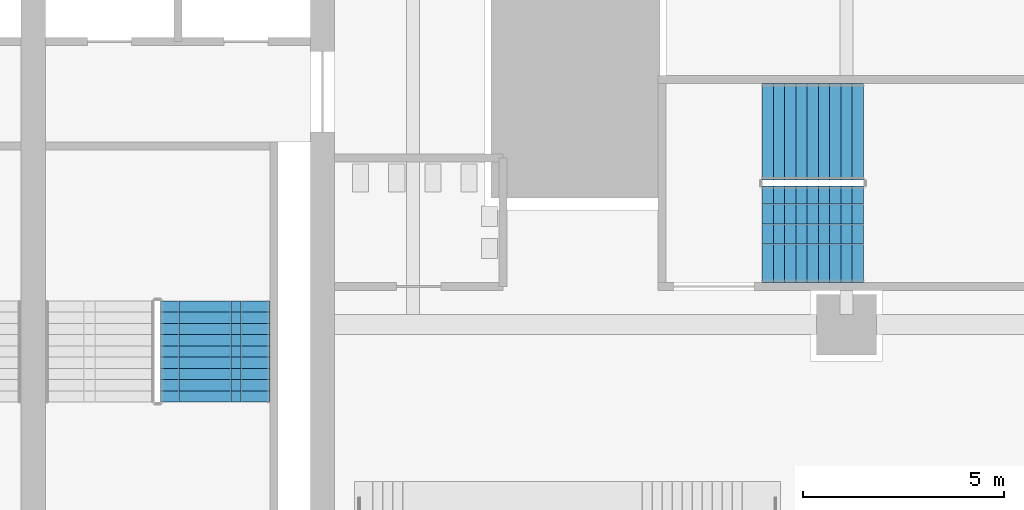
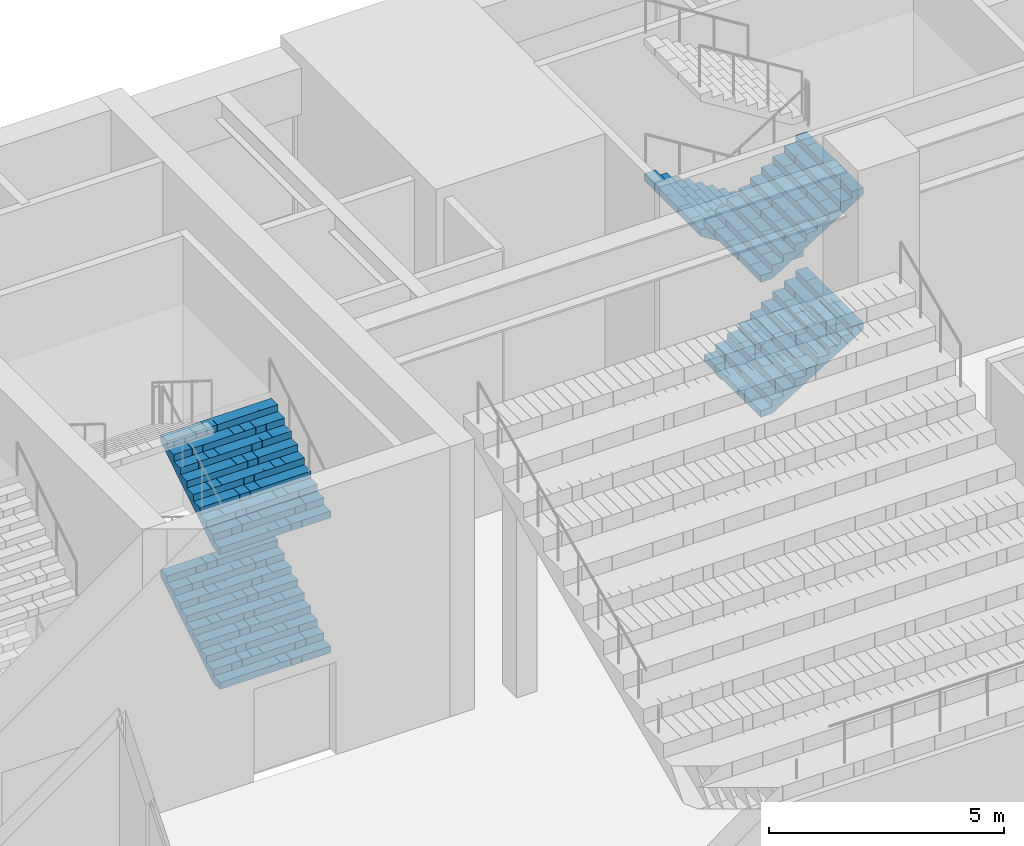
# One storey, part 49 of 62: 5 stair flights, 2 elements without a shape of their own.
"""IFC4 building model written with IfcOpenShell, lengths in metres."""

from ifc_helpers import new_model, si_unit, direction, frame, origin, place, context, subcontext, project, spatial, polyline, outline, extrude, material, type_object, element, aggregate, save


model = new_model("IFC4")

# Units and contexts
model_context = context("Model", 3, precision=1e-05, world=origin(), true_north=direction((0.0, 1.0)))
body_context = subcontext(model_context, "Body", "Model", "MODEL_VIEW")
ifc_project = project(units=[si_unit("LENGTHUNIT", "METRE"), si_unit("AREAUNIT", "SQUARE_METRE"), si_unit("VOLUMEUNIT", "CUBIC_METRE"), si_unit("PLANEANGLEUNIT", "RADIAN"), si_unit("MASSUNIT", "GRAM", prefix="KILO")], contexts=[model_context])

# Site, building, storey
site_placement = place(None, origin())
site = spatial("IfcSite", under=ifc_project, at=site_placement, CompositionType="ELEMENT")
building_placement = place(site_placement, origin())
building = spatial("IfcBuilding", under=site, at=building_placement, Name="Corbelhall Arena Tower", CompositionType="ELEMENT")
storey_placement = place(building_placement, frame((0.0, 0.0, 12.0)))
storey = spatial("IfcBuildingStorey", under=building, at=storey_placement, Name="L01", CompositionType="ELEMENT", Elevation=12.0)

# Stair, stair flights
ifc_material = material(Name="Reinforced concrete C40/50", Category="concrete")
stair_type = type_object("IfcStairType", Name="AR-EXIT-STAIR", PredefinedType="HALF_TURN_STAIR", material=ifc_material)
stair_1_placement = place(storey_placement, origin())
stair_1 = element("IfcStair", 1, at=stair_1_placement, inside=storey, type_object=stair_type, Name="L01 exit stair AS9", PredefinedType="HALF_TURN_STAIR")
stair_flight_type = type_object("IfcStairFlightType", Name="AR-EXIT-FLIGHT", PredefinedType="STRAIGHT", material=ifc_material)
stair_flight_1_placement = place(storey_placement, frame((-22.35009765625, 31.5, 0.0), z_axis=(0.0, 0.0, 1.0), x_axis=(1.0, 0.0, 0.0)))
stair_flight_1 = element("IfcStairFlight", 2, at=stair_flight_1_placement, type_object=stair_flight_type, Name="AS9 flight 1", NumberOfRisers=10, NumberOfTreads=9, PredefinedType="STRAIGHT", RiserHeight=0.175, TreadLength=0.28, context=body_context, shape_type="SweptSolid", body=[
    extrude(outline(polyline([(0.0, 0.0), (0.0, 0.175048828125), (0.280029296875, 0.175048828125), (0.280029296875, 0.35009765625), (0.56005859375, 0.35009765625), (0.56005859375, 0.52490234375), (0.840087890625, 0.52490234375), (0.840087890625, 0.699951171875), (1.1201171875, 0.699951171875), (1.1201171875, 0.875), (1.39990234375, 0.875), (1.39990234375, 1.050048828125), (1.679931640625, 1.050048828125), (1.679931640625, 1.22509765625), (1.9599609375, 1.22509765625), (1.9599609375, 1.39990234375), (2.239990234375, 1.39990234375), (2.239990234375, 1.574951171875), (2.52001953125, 1.574951171875), (2.52001953125, 1.75), (2.52001953125, 1.398193359375), (0.28271484375, 0.0), (0.0, 0.0)])), frame((0.0, 1.199951171875, 0.0), z_axis=(0.0, -1.0, 0.0), x_axis=(1.0, 0.0, 0.0)), (0.0, 0.0, 1.0), 0.449951171875),
    extrude(outline(polyline([(0.0, 0.0), (0.0, 0.175048828125), (0.280029296875, 0.175048828125), (0.280029296875, 0.35009765625), (0.56005859375, 0.35009765625), (0.56005859375, 0.52490234375), (0.840087890625, 0.52490234375), (0.840087890625, 0.699951171875), (1.1201171875, 0.699951171875), (1.1201171875, 0.875), (1.39990234375, 0.875), (1.39990234375, 1.050048828125), (1.679931640625, 1.050048828125), (1.679931640625, 1.22509765625), (1.9599609375, 1.22509765625), (1.9599609375, 1.39990234375), (2.239990234375, 1.39990234375), (2.239990234375, 1.574951171875), (2.52001953125, 1.574951171875), (2.52001953125, 1.75), (2.52001953125, 1.398193359375), (0.28271484375, 0.0), (0.0, 0.0)])), frame((0.0, 0.745849609375, 0.0), z_axis=(0.0, -1.0, 0.0), x_axis=(1.0, 0.0, 0.0)), (0.0, 0.0, 1.0), 0.49462890625),
    extrude(outline(polyline([(0.0, 0.0), (0.0, 0.175048828125), (0.280029296875, 0.175048828125), (0.280029296875, 0.35009765625), (0.56005859375, 0.35009765625), (0.56005859375, 0.52490234375), (0.840087890625, 0.52490234375), (0.840087890625, 0.699951171875), (1.1201171875, 0.699951171875), (1.1201171875, 0.875), (1.39990234375, 0.875), (1.39990234375, 1.050048828125), (1.679931640625, 1.050048828125), (1.679931640625, 1.22509765625), (1.9599609375, 1.22509765625), (1.9599609375, 1.39990234375), (2.239990234375, 1.39990234375), (2.239990234375, 1.574951171875), (2.52001953125, 1.574951171875), (2.52001953125, 1.75), (2.52001953125, 1.398193359375), (0.28271484375, 0.0), (0.0, 0.0)])), frame((0.0, 0.247314453125, 0.0), z_axis=(0.0, -1.0, 0.0), x_axis=(1.0, 0.0, 0.0)), (0.0, 0.0, 1.0), 0.49462890625),
    extrude(outline(polyline([(0.0, 0.0), (0.0, 0.175048828125), (0.280029296875, 0.175048828125), (0.280029296875, 0.35009765625), (0.56005859375, 0.35009765625), (0.56005859375, 0.52490234375), (0.840087890625, 0.52490234375), (0.840087890625, 0.699951171875), (1.1201171875, 0.699951171875), (1.1201171875, 0.875), (1.39990234375, 0.875), (1.39990234375, 1.050048828125), (1.679931640625, 1.050048828125), (1.679931640625, 1.22509765625), (1.9599609375, 1.22509765625), (1.9599609375, 1.39990234375), (2.239990234375, 1.39990234375), (2.239990234375, 1.574951171875), (2.52001953125, 1.574951171875), (2.52001953125, 1.75), (2.52001953125, 1.398193359375), (0.28271484375, 0.0), (0.0, 0.0)])), frame((0.0, -0.251220703125, 0.0), z_axis=(0.0, -1.0, 0.0), x_axis=(1.0, 0.0, 0.0)), (0.0, 0.0, 1.0), 0.49462890625),
    extrude(outline(polyline([(0.0, 0.0), (0.0, 0.175048828125), (0.280029296875, 0.175048828125), (0.280029296875, 0.35009765625), (0.56005859375, 0.35009765625), (0.56005859375, 0.52490234375), (0.840087890625, 0.52490234375), (0.840087890625, 0.699951171875), (1.1201171875, 0.699951171875), (1.1201171875, 0.875), (1.39990234375, 0.875), (1.39990234375, 1.050048828125), (1.679931640625, 1.050048828125), (1.679931640625, 1.22509765625), (1.9599609375, 1.22509765625), (1.9599609375, 1.39990234375), (2.239990234375, 1.39990234375), (2.239990234375, 1.574951171875), (2.52001953125, 1.574951171875), (2.52001953125, 1.75), (2.52001953125, 1.398193359375), (0.28271484375, 0.0), (0.0, 0.0)])), frame((0.0, -0.75, 0.0), z_axis=(0.0, -1.0, 0.0), x_axis=(1.0, 0.0, 0.0)), (0.0, 0.0, 1.0), 0.449951171875),
])
stair_flight_2_placement = place(storey_placement, frame((-19.830078125, 34.050048828125, 1.75), z_axis=(0.0, 0.0, 1.0), x_axis=(-1.0, 0.0, 0.0)))
stair_flight_2 = element("IfcStairFlight", 3, at=stair_flight_2_placement, type_object=stair_flight_type, Name="AS9 flight 2", NumberOfRisers=10, NumberOfTreads=9, PredefinedType="STRAIGHT", RiserHeight=0.175, TreadLength=0.28, context=body_context, shape_type="SweptSolid", body=[
    extrude(outline(polyline([(0.0, 0.0), (0.0, 0.175048828125), (0.280029296875, 0.175048828125), (0.280029296875, 0.35009765625), (0.56005859375, 0.35009765625), (0.56005859375, 0.52490234375), (0.840087890625, 0.52490234375), (0.840087890625, 0.699951171875), (1.1201171875, 0.699951171875), (1.1201171875, 0.875), (1.39990234375, 0.875), (1.39990234375, 1.050048828125), (1.679931640625, 1.050048828125), (1.679931640625, 1.22509765625), (1.9599609375, 1.22509765625), (1.9599609375, 1.39990234375), (2.239990234375, 1.39990234375), (2.239990234375, 1.574951171875), (2.52001953125, 1.574951171875), (2.52001953125, 1.75), (2.52001953125, 1.398193359375), (0.28271484375, 0.0), (0.0, 0.0)])), frame((0.0, 1.199951171875, 0.0), z_axis=(0.0, -1.0, 0.0), x_axis=(1.0, 0.0, 0.0)), (0.0, 0.0, 1.0), 0.449951171875),
    extrude(outline(polyline([(0.0, 0.0), (0.0, 0.175048828125), (0.280029296875, 0.175048828125), (0.280029296875, 0.35009765625), (0.56005859375, 0.35009765625), (0.56005859375, 0.52490234375), (0.840087890625, 0.52490234375), (0.840087890625, 0.699951171875), (1.1201171875, 0.699951171875), (1.1201171875, 0.875), (1.39990234375, 0.875), (1.39990234375, 1.050048828125), (1.679931640625, 1.050048828125), (1.679931640625, 1.22509765625), (1.9599609375, 1.22509765625), (1.9599609375, 1.39990234375), (2.239990234375, 1.39990234375), (2.239990234375, 1.574951171875), (2.52001953125, 1.574951171875), (2.52001953125, 1.75), (2.52001953125, 1.398193359375), (0.28271484375, 0.0), (0.0, 0.0)])), frame((0.0, 0.745849609375, 0.0), z_axis=(0.0, -1.0, 0.0), x_axis=(1.0, 0.0, 0.0)), (0.0, 0.0, 1.0), 0.49462890625),
    extrude(outline(polyline([(0.0, 0.0), (0.0, 0.175048828125), (0.280029296875, 0.175048828125), (0.280029296875, 0.35009765625), (0.56005859375, 0.35009765625), (0.56005859375, 0.52490234375), (0.840087890625, 0.52490234375), (0.840087890625, 0.699951171875), (1.1201171875, 0.699951171875), (1.1201171875, 0.875), (1.39990234375, 0.875), (1.39990234375, 1.050048828125), (1.679931640625, 1.050048828125), (1.679931640625, 1.22509765625), (1.9599609375, 1.22509765625), (1.9599609375, 1.39990234375), (2.239990234375, 1.39990234375), (2.239990234375, 1.574951171875), (2.52001953125, 1.574951171875), (2.52001953125, 1.75), (2.52001953125, 1.398193359375), (0.28271484375, 0.0), (0.0, 0.0)])), frame((0.0, 0.247314453125, 0.0), z_axis=(0.0, -1.0, 0.0), x_axis=(1.0, 0.0, 0.0)), (0.0, 0.0, 1.0), 0.49462890625),
    extrude(outline(polyline([(0.0, 0.0), (0.0, 0.175048828125), (0.280029296875, 0.175048828125), (0.280029296875, 0.35009765625), (0.56005859375, 0.35009765625), (0.56005859375, 0.52490234375), (0.840087890625, 0.52490234375), (0.840087890625, 0.699951171875), (1.1201171875, 0.699951171875), (1.1201171875, 0.875), (1.39990234375, 0.875), (1.39990234375, 1.050048828125), (1.679931640625, 1.050048828125), (1.679931640625, 1.22509765625), (1.9599609375, 1.22509765625), (1.9599609375, 1.39990234375), (2.239990234375, 1.39990234375), (2.239990234375, 1.574951171875), (2.52001953125, 1.574951171875), (2.52001953125, 1.75), (2.52001953125, 1.398193359375), (0.28271484375, 0.0), (0.0, 0.0)])), frame((0.0, -0.251220703125, 0.0), z_axis=(0.0, -1.0, 0.0), x_axis=(1.0, 0.0, 0.0)), (0.0, 0.0, 1.0), 0.49462890625),
    extrude(outline(polyline([(0.0, 0.0), (0.0, 0.175048828125), (0.280029296875, 0.175048828125), (0.280029296875, 0.35009765625), (0.56005859375, 0.35009765625), (0.56005859375, 0.52490234375), (0.840087890625, 0.52490234375), (0.840087890625, 0.699951171875), (1.1201171875, 0.699951171875), (1.1201171875, 0.875), (1.39990234375, 0.875), (1.39990234375, 1.050048828125), (1.679931640625, 1.050048828125), (1.679931640625, 1.22509765625), (1.9599609375, 1.22509765625), (1.9599609375, 1.39990234375), (2.239990234375, 1.39990234375), (2.239990234375, 1.574951171875), (2.52001953125, 1.574951171875), (2.52001953125, 1.75), (2.52001953125, 1.398193359375), (0.28271484375, 0.0), (0.0, 0.0)])), frame((0.0, -0.75, 0.0), z_axis=(0.0, -1.0, 0.0), x_axis=(1.0, 0.0, 0.0)), (0.0, 0.0, 1.0), 0.449951171875),
])
stair_flight_3_placement = place(storey_placement, frame((-22.35009765625, 31.5, 3.5), z_axis=(0.0, 0.0, 1.0), x_axis=(1.0, 0.0, 0.0)))
stair_flight_3 = element("IfcStairFlight", 4, at=stair_flight_3_placement, type_object=stair_flight_type, Name="AS9 flight 3", NumberOfRisers=10, NumberOfTreads=9, PredefinedType="STRAIGHT", RiserHeight=0.175, TreadLength=0.28, context=body_context, shape_type="SweptSolid", body=[
    extrude(outline(polyline([(0.0, 0.0), (0.0, 0.175048828125), (0.280029296875, 0.175048828125), (0.280029296875, 0.35009765625), (0.56005859375, 0.35009765625), (0.56005859375, 0.52490234375), (0.840087890625, 0.52490234375), (0.840087890625, 0.699951171875), (1.1201171875, 0.699951171875), (1.1201171875, 0.875), (1.39990234375, 0.875), (1.39990234375, 1.050048828125), (1.679931640625, 1.050048828125), (1.679931640625, 1.22509765625), (1.9599609375, 1.22509765625), (1.9599609375, 1.39990234375), (2.239990234375, 1.39990234375), (2.239990234375, 1.574951171875), (2.52001953125, 1.574951171875), (2.52001953125, 1.75), (2.52001953125, 1.398193359375), (0.28271484375, 0.0), (0.0, 0.0)])), frame((0.0, 1.199951171875, 0.0), z_axis=(0.0, -1.0, 0.0), x_axis=(1.0, 0.0, 0.0)), (0.0, 0.0, 1.0), 0.449951171875),
    extrude(outline(polyline([(0.0, 0.0), (0.0, 0.175048828125), (0.280029296875, 0.175048828125), (0.280029296875, 0.35009765625), (0.56005859375, 0.35009765625), (0.56005859375, 0.52490234375), (0.840087890625, 0.52490234375), (0.840087890625, 0.699951171875), (1.1201171875, 0.699951171875), (1.1201171875, 0.875), (1.39990234375, 0.875), (1.39990234375, 1.050048828125), (1.679931640625, 1.050048828125), (1.679931640625, 1.22509765625), (1.9599609375, 1.22509765625), (1.9599609375, 1.39990234375), (2.239990234375, 1.39990234375), (2.239990234375, 1.574951171875), (2.52001953125, 1.574951171875), (2.52001953125, 1.75), (2.52001953125, 1.398193359375), (0.28271484375, 0.0), (0.0, 0.0)])), frame((0.0, 0.745849609375, 0.0), z_axis=(0.0, -1.0, 0.0), x_axis=(1.0, 0.0, 0.0)), (0.0, 0.0, 1.0), 0.49462890625),
    extrude(outline(polyline([(0.0, 0.0), (0.0, 0.175048828125), (0.280029296875, 0.175048828125), (0.280029296875, 0.35009765625), (0.56005859375, 0.35009765625), (0.56005859375, 0.52490234375), (0.840087890625, 0.52490234375), (0.840087890625, 0.699951171875), (1.1201171875, 0.699951171875), (1.1201171875, 0.875), (1.39990234375, 0.875), (1.39990234375, 1.050048828125), (1.679931640625, 1.050048828125), (1.679931640625, 1.22509765625), (1.9599609375, 1.22509765625), (1.9599609375, 1.39990234375), (2.239990234375, 1.39990234375), (2.239990234375, 1.574951171875), (2.52001953125, 1.574951171875), (2.52001953125, 1.75), (2.52001953125, 1.398193359375), (0.28271484375, 0.0), (0.0, 0.0)])), frame((0.0, 0.247314453125, 0.0), z_axis=(0.0, -1.0, 0.0), x_axis=(1.0, 0.0, 0.0)), (0.0, 0.0, 1.0), 0.49462890625),
    extrude(outline(polyline([(0.0, 0.0), (0.0, 0.175048828125), (0.280029296875, 0.175048828125), (0.280029296875, 0.35009765625), (0.56005859375, 0.35009765625), (0.56005859375, 0.52490234375), (0.840087890625, 0.52490234375), (0.840087890625, 0.699951171875), (1.1201171875, 0.699951171875), (1.1201171875, 0.875), (1.39990234375, 0.875), (1.39990234375, 1.050048828125), (1.679931640625, 1.050048828125), (1.679931640625, 1.22509765625), (1.9599609375, 1.22509765625), (1.9599609375, 1.39990234375), (2.239990234375, 1.39990234375), (2.239990234375, 1.574951171875), (2.52001953125, 1.574951171875), (2.52001953125, 1.75), (2.52001953125, 1.398193359375), (0.28271484375, 0.0), (0.0, 0.0)])), frame((0.0, -0.251220703125, 0.0), z_axis=(0.0, -1.0, 0.0), x_axis=(1.0, 0.0, 0.0)), (0.0, 0.0, 1.0), 0.49462890625),
    extrude(outline(polyline([(0.0, 0.0), (0.0, 0.175048828125), (0.280029296875, 0.175048828125), (0.280029296875, 0.35009765625), (0.56005859375, 0.35009765625), (0.56005859375, 0.52490234375), (0.840087890625, 0.52490234375), (0.840087890625, 0.699951171875), (1.1201171875, 0.699951171875), (1.1201171875, 0.875), (1.39990234375, 0.875), (1.39990234375, 1.050048828125), (1.679931640625, 1.050048828125), (1.679931640625, 1.22509765625), (1.9599609375, 1.22509765625), (1.9599609375, 1.39990234375), (2.239990234375, 1.39990234375), (2.239990234375, 1.574951171875), (2.52001953125, 1.574951171875), (2.52001953125, 1.75), (2.52001953125, 1.398193359375), (0.28271484375, 0.0), (0.0, 0.0)])), frame((0.0, -0.75, 0.0), z_axis=(0.0, -1.0, 0.0), x_axis=(1.0, 0.0, 0.0)), (0.0, 0.0, 1.0), 0.449951171875),
])
aggregate(stair_1, [stair_flight_1, stair_flight_2, stair_flight_3])

stair_2_placement = place(storey_placement, origin())
stair_2 = element("IfcStair", 5, at=stair_2_placement, inside=storey, type_object=stair_type, Name="L01 exit stair AS3", PredefinedType="HALF_TURN_STAIR")
stair_flight_4_placement = place(storey_placement, frame((-35.969970703125, 27.320068359375, 0.0), z_axis=(0.0, 0.0, 1.0), x_axis=(0.0, 1.0, 0.0)))
stair_flight_4 = element("IfcStairFlight", 6, at=stair_flight_4_placement, type_object=stair_flight_type, Name="AS3 flight 1", NumberOfRisers=10, NumberOfTreads=9, PredefinedType="STRAIGHT", RiserHeight=0.175, TreadLength=0.28, context=body_context, shape_type="SweptSolid", body=[
    extrude(outline(polyline([(0.0, 0.0), (0.0, 0.175048828125), (0.280029296875, 0.175048828125), (0.280029296875, 0.35009765625), (0.56005859375, 0.35009765625), (0.56005859375, 0.52490234375), (0.840087890625, 0.52490234375), (0.840087890625, 0.699951171875), (1.1201171875, 0.699951171875), (1.1201171875, 0.875), (1.39990234375, 0.875), (1.39990234375, 1.050048828125), (1.679931640625, 1.050048828125), (1.679931640625, 1.22509765625), (1.9599609375, 1.22509765625), (1.9599609375, 1.39990234375), (2.239990234375, 1.39990234375), (2.239990234375, 1.574951171875), (2.52001953125, 1.574951171875), (2.52001953125, 1.75), (2.52001953125, 1.398193359375), (0.28271484375, 0.0), (0.0, 0.0)])), frame((0.0, 1.35986328125, 0.0), z_axis=(0.0, -1.0, 0.0), x_axis=(1.0, 0.0, 0.0)), (0.0, 0.0, 1.0), 0.449951171875),
    extrude(outline(polyline([(0.0, 0.0), (0.0, 0.175048828125), (0.280029296875, 0.175048828125), (0.280029296875, 0.35009765625), (0.56005859375, 0.35009765625), (0.56005859375, 0.52490234375), (0.840087890625, 0.52490234375), (0.840087890625, 0.699951171875), (1.1201171875, 0.699951171875), (1.1201171875, 0.875), (1.39990234375, 0.875), (1.39990234375, 1.050048828125), (1.679931640625, 1.050048828125), (1.679931640625, 1.22509765625), (1.9599609375, 1.22509765625), (1.9599609375, 1.39990234375), (2.239990234375, 1.39990234375), (2.239990234375, 1.574951171875), (2.52001953125, 1.574951171875), (2.52001953125, 1.75), (2.52001953125, 1.398193359375), (0.28271484375, 0.0), (0.0, 0.0)])), frame((0.0, 0.906005859375, 0.0), z_axis=(0.0, -1.0, 0.0), x_axis=(1.0, 0.0, 0.0)), (0.0, 0.0, 1.0), 0.25537109375),
    extrude(outline(polyline([(0.0, 0.0), (0.0, 0.175048828125), (0.280029296875, 0.175048828125), (0.280029296875, 0.35009765625), (0.56005859375, 0.35009765625), (0.56005859375, 0.52490234375), (0.840087890625, 0.52490234375), (0.840087890625, 0.699951171875), (1.1201171875, 0.699951171875), (1.1201171875, 0.875), (1.39990234375, 0.875), (1.39990234375, 1.050048828125), (1.679931640625, 1.050048828125), (1.679931640625, 1.22509765625), (1.9599609375, 1.22509765625), (1.9599609375, 1.39990234375), (2.239990234375, 1.39990234375), (2.239990234375, 1.574951171875), (2.52001953125, 1.574951171875), (2.52001953125, 1.75), (2.52001953125, 1.398193359375), (0.28271484375, 0.0), (0.0, 0.0)])), frame((0.0, 0.646484375, 0.0), z_axis=(0.0, -1.0, 0.0), x_axis=(1.0, 0.0, 0.0)), (0.0, 0.0, 1.0), 0.25537109375),
    extrude(outline(polyline([(0.0, 0.0), (0.0, 0.175048828125), (0.280029296875, 0.175048828125), (0.280029296875, 0.35009765625), (0.56005859375, 0.35009765625), (0.56005859375, 0.52490234375), (0.840087890625, 0.52490234375), (0.840087890625, 0.699951171875), (1.1201171875, 0.699951171875), (1.1201171875, 0.875), (1.39990234375, 0.875), (1.39990234375, 1.050048828125), (1.679931640625, 1.050048828125), (1.679931640625, 1.22509765625), (1.9599609375, 1.22509765625), (1.9599609375, 1.39990234375), (2.239990234375, 1.39990234375), (2.239990234375, 1.574951171875), (2.52001953125, 1.574951171875), (2.52001953125, 1.75), (2.52001953125, 1.398193359375), (0.28271484375, 0.0), (0.0, 0.0)])), frame((0.0, 0.38720703125, 0.0), z_axis=(0.0, -1.0, 0.0), x_axis=(1.0, 0.0, 0.0)), (0.0, 0.0, 1.0), 0.25537109375),
    extrude(outline(polyline([(0.0, 0.0), (0.0, 0.175048828125), (0.280029296875, 0.175048828125), (0.280029296875, 0.35009765625), (0.56005859375, 0.35009765625), (0.56005859375, 0.52490234375), (0.840087890625, 0.52490234375), (0.840087890625, 0.699951171875), (1.1201171875, 0.699951171875), (1.1201171875, 0.875), (1.39990234375, 0.875), (1.39990234375, 1.050048828125), (1.679931640625, 1.050048828125), (1.679931640625, 1.22509765625), (1.9599609375, 1.22509765625), (1.9599609375, 1.39990234375), (2.239990234375, 1.39990234375), (2.239990234375, 1.574951171875), (2.52001953125, 1.574951171875), (2.52001953125, 1.75), (2.52001953125, 1.398193359375), (0.28271484375, 0.0), (0.0, 0.0)])), frame((0.0, 0.127685546875, 0.0), z_axis=(0.0, -1.0, 0.0), x_axis=(1.0, 0.0, 0.0)), (0.0, 0.0, 1.0), 0.25537109375),
    extrude(outline(polyline([(0.0, 0.0), (0.0, 0.175048828125), (0.280029296875, 0.175048828125), (0.280029296875, 0.35009765625), (0.56005859375, 0.35009765625), (0.56005859375, 0.52490234375), (0.840087890625, 0.52490234375), (0.840087890625, 0.699951171875), (1.1201171875, 0.699951171875), (1.1201171875, 0.875), (1.39990234375, 0.875), (1.39990234375, 1.050048828125), (1.679931640625, 1.050048828125), (1.679931640625, 1.22509765625), (1.9599609375, 1.22509765625), (1.9599609375, 1.39990234375), (2.239990234375, 1.39990234375), (2.239990234375, 1.574951171875), (2.52001953125, 1.574951171875), (2.52001953125, 1.75), (2.52001953125, 1.398193359375), (0.28271484375, 0.0), (0.0, 0.0)])), frame((0.0, -0.131591796875, 0.0), z_axis=(0.0, -1.0, 0.0), x_axis=(1.0, 0.0, 0.0)), (0.0, 0.0, 1.0), 0.25537109375),
    extrude(outline(polyline([(0.0, 0.0), (0.0, 0.175048828125), (0.280029296875, 0.175048828125), (0.280029296875, 0.35009765625), (0.56005859375, 0.35009765625), (0.56005859375, 0.52490234375), (0.840087890625, 0.52490234375), (0.840087890625, 0.699951171875), (1.1201171875, 0.699951171875), (1.1201171875, 0.875), (1.39990234375, 0.875), (1.39990234375, 1.050048828125), (1.679931640625, 1.050048828125), (1.679931640625, 1.22509765625), (1.9599609375, 1.22509765625), (1.9599609375, 1.39990234375), (2.239990234375, 1.39990234375), (2.239990234375, 1.574951171875), (2.52001953125, 1.574951171875), (2.52001953125, 1.75), (2.52001953125, 1.398193359375), (0.28271484375, 0.0), (0.0, 0.0)])), frame((0.0, -0.39111328125, 0.0), z_axis=(0.0, -1.0, 0.0), x_axis=(1.0, 0.0, 0.0)), (0.0, 0.0, 1.0), 0.25537109375),
    extrude(outline(polyline([(0.0, 0.0), (0.0, 0.175048828125), (0.280029296875, 0.175048828125), (0.280029296875, 0.35009765625), (0.56005859375, 0.35009765625), (0.56005859375, 0.52490234375), (0.840087890625, 0.52490234375), (0.840087890625, 0.699951171875), (1.1201171875, 0.699951171875), (1.1201171875, 0.875), (1.39990234375, 0.875), (1.39990234375, 1.050048828125), (1.679931640625, 1.050048828125), (1.679931640625, 1.22509765625), (1.9599609375, 1.22509765625), (1.9599609375, 1.39990234375), (2.239990234375, 1.39990234375), (2.239990234375, 1.574951171875), (2.52001953125, 1.574951171875), (2.52001953125, 1.75), (2.52001953125, 1.398193359375), (0.28271484375, 0.0), (0.0, 0.0)])), frame((0.0, -0.650634765625, 0.0), z_axis=(0.0, -1.0, 0.0), x_axis=(1.0, 0.0, 0.0)), (0.0, 0.0, 1.0), 0.25537109375),
    extrude(outline(polyline([(0.0, 0.0), (0.0, 0.175048828125), (0.280029296875, 0.175048828125), (0.280029296875, 0.35009765625), (0.56005859375, 0.35009765625), (0.56005859375, 0.52490234375), (0.840087890625, 0.52490234375), (0.840087890625, 0.699951171875), (1.1201171875, 0.699951171875), (1.1201171875, 0.875), (1.39990234375, 0.875), (1.39990234375, 1.050048828125), (1.679931640625, 1.050048828125), (1.679931640625, 1.22509765625), (1.9599609375, 1.22509765625), (1.9599609375, 1.39990234375), (2.239990234375, 1.39990234375), (2.239990234375, 1.574951171875), (2.52001953125, 1.574951171875), (2.52001953125, 1.75), (2.52001953125, 1.398193359375), (0.28271484375, 0.0), (0.0, 0.0)])), frame((0.0, -0.909912109375, 0.0), z_axis=(0.0, -1.0, 0.0), x_axis=(1.0, 0.0, 0.0)), (0.0, 0.0, 1.0), 0.449951171875),
])
stair_flight_5_placement = place(storey_placement, frame((-35.969970703125, 27.320068359375, 3.5), z_axis=(0.0, 0.0, 1.0), x_axis=(0.0, 1.0, 0.0)))
stair_flight_5 = element("IfcStairFlight", 7, at=stair_flight_5_placement, type_object=stair_flight_type, Name="AS3 flight 3", NumberOfRisers=10, NumberOfTreads=9, PredefinedType="STRAIGHT", RiserHeight=0.175, TreadLength=0.28, context=body_context, shape_type="SweptSolid", body=[
    extrude(outline(polyline([(0.0, 0.0), (0.0, 0.175048828125), (0.280029296875, 0.175048828125), (0.280029296875, 0.35009765625), (0.56005859375, 0.35009765625), (0.56005859375, 0.52490234375), (0.840087890625, 0.52490234375), (0.840087890625, 0.699951171875), (1.1201171875, 0.699951171875), (1.1201171875, 0.875), (1.39990234375, 0.875), (1.39990234375, 1.050048828125), (1.679931640625, 1.050048828125), (1.679931640625, 1.22509765625), (1.9599609375, 1.22509765625), (1.9599609375, 1.39990234375), (2.239990234375, 1.39990234375), (2.239990234375, 1.574951171875), (2.52001953125, 1.574951171875), (2.52001953125, 1.75), (2.52001953125, 1.398193359375), (0.28271484375, 0.0), (0.0, 0.0)])), frame((0.0, 1.35986328125, 0.0), z_axis=(0.0, -1.0, 0.0), x_axis=(1.0, 0.0, 0.0)), (0.0, 0.0, 1.0), 0.449951171875),
    extrude(outline(polyline([(0.0, 0.0), (0.0, 0.175048828125), (0.280029296875, 0.175048828125), (0.280029296875, 0.35009765625), (0.56005859375, 0.35009765625), (0.56005859375, 0.52490234375), (0.840087890625, 0.52490234375), (0.840087890625, 0.699951171875), (1.1201171875, 0.699951171875), (1.1201171875, 0.875), (1.39990234375, 0.875), (1.39990234375, 1.050048828125), (1.679931640625, 1.050048828125), (1.679931640625, 1.22509765625), (1.9599609375, 1.22509765625), (1.9599609375, 1.39990234375), (2.239990234375, 1.39990234375), (2.239990234375, 1.574951171875), (2.52001953125, 1.574951171875), (2.52001953125, 1.75), (2.52001953125, 1.398193359375), (0.28271484375, 0.0), (0.0, 0.0)])), frame((0.0, 0.906005859375, 0.0), z_axis=(0.0, -1.0, 0.0), x_axis=(1.0, 0.0, 0.0)), (0.0, 0.0, 1.0), 0.25537109375),
    extrude(outline(polyline([(0.0, 0.0), (0.0, 0.175048828125), (0.280029296875, 0.175048828125), (0.280029296875, 0.35009765625), (0.56005859375, 0.35009765625), (0.56005859375, 0.52490234375), (0.840087890625, 0.52490234375), (0.840087890625, 0.699951171875), (1.1201171875, 0.699951171875), (1.1201171875, 0.875), (1.39990234375, 0.875), (1.39990234375, 1.050048828125), (1.679931640625, 1.050048828125), (1.679931640625, 1.22509765625), (1.9599609375, 1.22509765625), (1.9599609375, 1.39990234375), (2.239990234375, 1.39990234375), (2.239990234375, 1.574951171875), (2.52001953125, 1.574951171875), (2.52001953125, 1.75), (2.52001953125, 1.398193359375), (0.28271484375, 0.0), (0.0, 0.0)])), frame((0.0, 0.646484375, 0.0), z_axis=(0.0, -1.0, 0.0), x_axis=(1.0, 0.0, 0.0)), (0.0, 0.0, 1.0), 0.25537109375),
    extrude(outline(polyline([(0.0, 0.0), (0.0, 0.175048828125), (0.280029296875, 0.175048828125), (0.280029296875, 0.35009765625), (0.56005859375, 0.35009765625), (0.56005859375, 0.52490234375), (0.840087890625, 0.52490234375), (0.840087890625, 0.699951171875), (1.1201171875, 0.699951171875), (1.1201171875, 0.875), (1.39990234375, 0.875), (1.39990234375, 1.050048828125), (1.679931640625, 1.050048828125), (1.679931640625, 1.22509765625), (1.9599609375, 1.22509765625), (1.9599609375, 1.39990234375), (2.239990234375, 1.39990234375), (2.239990234375, 1.574951171875), (2.52001953125, 1.574951171875), (2.52001953125, 1.75), (2.52001953125, 1.398193359375), (0.28271484375, 0.0), (0.0, 0.0)])), frame((0.0, 0.38720703125, 0.0), z_axis=(0.0, -1.0, 0.0), x_axis=(1.0, 0.0, 0.0)), (0.0, 0.0, 1.0), 0.25537109375),
    extrude(outline(polyline([(0.0, 0.0), (0.0, 0.175048828125), (0.280029296875, 0.175048828125), (0.280029296875, 0.35009765625), (0.56005859375, 0.35009765625), (0.56005859375, 0.52490234375), (0.840087890625, 0.52490234375), (0.840087890625, 0.699951171875), (1.1201171875, 0.699951171875), (1.1201171875, 0.875), (1.39990234375, 0.875), (1.39990234375, 1.050048828125), (1.679931640625, 1.050048828125), (1.679931640625, 1.22509765625), (1.9599609375, 1.22509765625), (1.9599609375, 1.39990234375), (2.239990234375, 1.39990234375), (2.239990234375, 1.574951171875), (2.52001953125, 1.574951171875), (2.52001953125, 1.75), (2.52001953125, 1.398193359375), (0.28271484375, 0.0), (0.0, 0.0)])), frame((0.0, 0.127685546875, 0.0), z_axis=(0.0, -1.0, 0.0), x_axis=(1.0, 0.0, 0.0)), (0.0, 0.0, 1.0), 0.25537109375),
    extrude(outline(polyline([(0.0, 0.0), (0.0, 0.175048828125), (0.280029296875, 0.175048828125), (0.280029296875, 0.35009765625), (0.56005859375, 0.35009765625), (0.56005859375, 0.52490234375), (0.840087890625, 0.52490234375), (0.840087890625, 0.699951171875), (1.1201171875, 0.699951171875), (1.1201171875, 0.875), (1.39990234375, 0.875), (1.39990234375, 1.050048828125), (1.679931640625, 1.050048828125), (1.679931640625, 1.22509765625), (1.9599609375, 1.22509765625), (1.9599609375, 1.39990234375), (2.239990234375, 1.39990234375), (2.239990234375, 1.574951171875), (2.52001953125, 1.574951171875), (2.52001953125, 1.75), (2.52001953125, 1.398193359375), (0.28271484375, 0.0), (0.0, 0.0)])), frame((0.0, -0.131591796875, 0.0), z_axis=(0.0, -1.0, 0.0), x_axis=(1.0, 0.0, 0.0)), (0.0, 0.0, 1.0), 0.25537109375),
    extrude(outline(polyline([(0.0, 0.0), (0.0, 0.175048828125), (0.280029296875, 0.175048828125), (0.280029296875, 0.35009765625), (0.56005859375, 0.35009765625), (0.56005859375, 0.52490234375), (0.840087890625, 0.52490234375), (0.840087890625, 0.699951171875), (1.1201171875, 0.699951171875), (1.1201171875, 0.875), (1.39990234375, 0.875), (1.39990234375, 1.050048828125), (1.679931640625, 1.050048828125), (1.679931640625, 1.22509765625), (1.9599609375, 1.22509765625), (1.9599609375, 1.39990234375), (2.239990234375, 1.39990234375), (2.239990234375, 1.574951171875), (2.52001953125, 1.574951171875), (2.52001953125, 1.75), (2.52001953125, 1.398193359375), (0.28271484375, 0.0), (0.0, 0.0)])), frame((0.0, -0.39111328125, 0.0), z_axis=(0.0, -1.0, 0.0), x_axis=(1.0, 0.0, 0.0)), (0.0, 0.0, 1.0), 0.25537109375),
    extrude(outline(polyline([(0.0, 0.0), (0.0, 0.175048828125), (0.280029296875, 0.175048828125), (0.280029296875, 0.35009765625), (0.56005859375, 0.35009765625), (0.56005859375, 0.52490234375), (0.840087890625, 0.52490234375), (0.840087890625, 0.699951171875), (1.1201171875, 0.699951171875), (1.1201171875, 0.875), (1.39990234375, 0.875), (1.39990234375, 1.050048828125), (1.679931640625, 1.050048828125), (1.679931640625, 1.22509765625), (1.9599609375, 1.22509765625), (1.9599609375, 1.39990234375), (2.239990234375, 1.39990234375), (2.239990234375, 1.574951171875), (2.52001953125, 1.574951171875), (2.52001953125, 1.75), (2.52001953125, 1.398193359375), (0.28271484375, 0.0), (0.0, 0.0)])), frame((0.0, -0.650634765625, 0.0), z_axis=(0.0, -1.0, 0.0), x_axis=(1.0, 0.0, 0.0)), (0.0, 0.0, 1.0), 0.25537109375),
    extrude(outline(polyline([(0.0, 0.0), (0.0, 0.175048828125), (0.280029296875, 0.175048828125), (0.280029296875, 0.35009765625), (0.56005859375, 0.35009765625), (0.56005859375, 0.52490234375), (0.840087890625, 0.52490234375), (0.840087890625, 0.699951171875), (1.1201171875, 0.699951171875), (1.1201171875, 0.875), (1.39990234375, 0.875), (1.39990234375, 1.050048828125), (1.679931640625, 1.050048828125), (1.679931640625, 1.22509765625), (1.9599609375, 1.22509765625), (1.9599609375, 1.39990234375), (2.239990234375, 1.39990234375), (2.239990234375, 1.574951171875), (2.52001953125, 1.574951171875), (2.52001953125, 1.75), (2.52001953125, 1.398193359375), (0.28271484375, 0.0), (0.0, 0.0)])), frame((0.0, -0.909912109375, 0.0), z_axis=(0.0, -1.0, 0.0), x_axis=(1.0, 0.0, 0.0)), (0.0, 0.0, 1.0), 0.449951171875),
])
aggregate(stair_2, [stair_flight_4, stair_flight_5])

save(model, "model.ifc")
